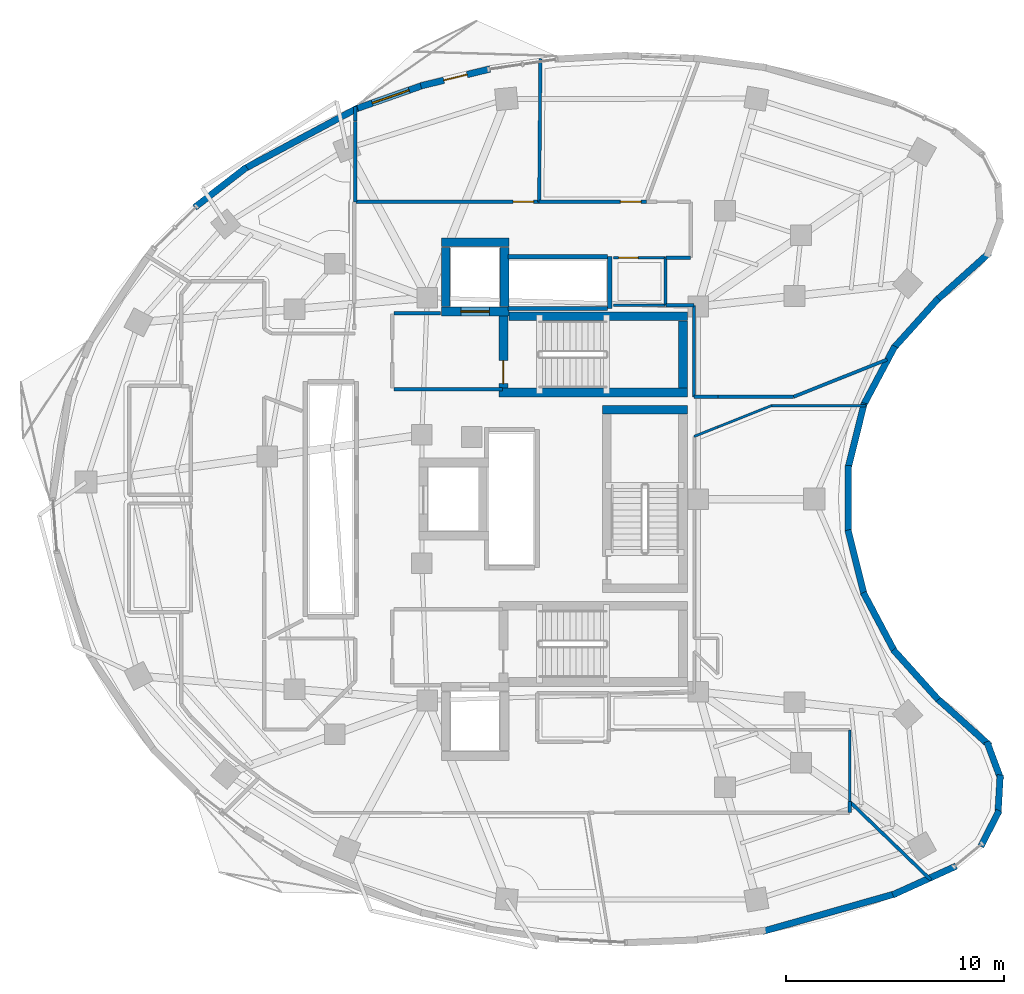
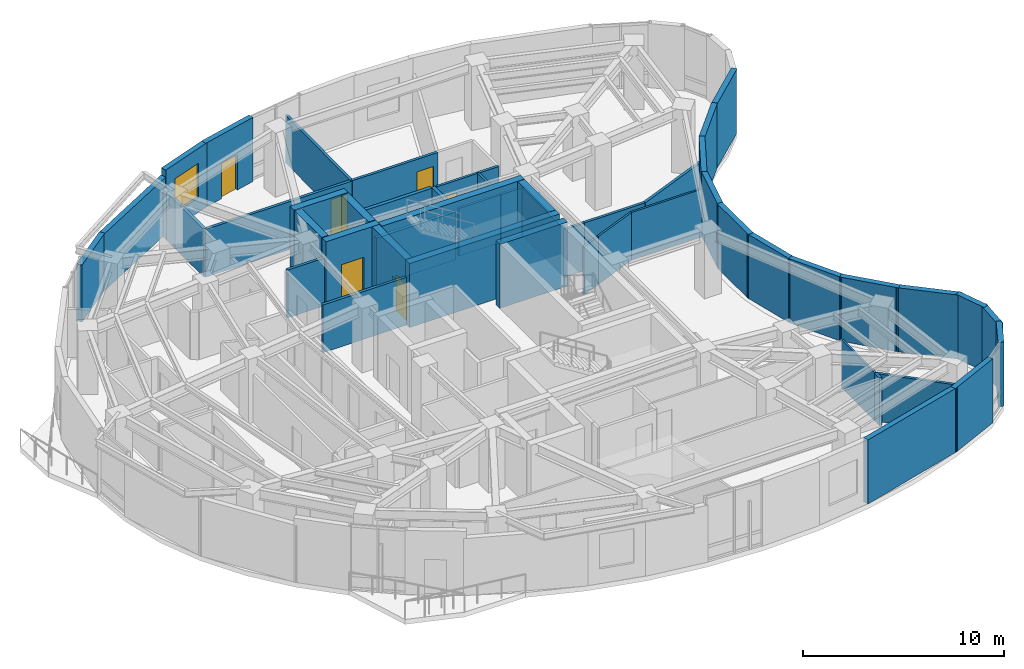
# One storey, part 9 of 13: 52 walls, 6 doors, 1 window, 7 openings.
"""IFC4 building model written with IfcOpenShell, lengths in metres."""

from ifc_helpers import new_model, si_unit, direction, frame, frame_2d, origin, place, context, subcontext, project, spatial, rectangle, extrude, material, layer, layer_set, type_object, element, fill, save


model = new_model("IFC4")

# Units and contexts
model_context = context("Model", 3, precision=1e-05, world=origin(), true_north=direction((0.0, 1.0)))
body_context = subcontext(model_context, "Body", "Model", "MODEL_VIEW")
ifc_project = project(units=[si_unit("LENGTHUNIT", "METRE"), si_unit("AREAUNIT", "SQUARE_METRE"), si_unit("VOLUMEUNIT", "CUBIC_METRE"), si_unit("PLANEANGLEUNIT", "RADIAN"), si_unit("MASSUNIT", "GRAM", prefix="KILO")], contexts=[model_context])

# Site, building, storey
site_placement = place(None, origin())
site = spatial("IfcSite", under=ifc_project, at=site_placement, CompositionType="ELEMENT")
building_placement = place(site_placement, origin())
building = spatial("IfcBuilding", under=site, at=building_placement, Name="Korentha Bioscience Tower", CompositionType="ELEMENT")
storey_placement = place(building_placement, frame((0.0, 0.0, 187.800048828125)))
storey = spatial("IfcBuildingStorey", under=building, at=storey_placement, Name="L43", CompositionType="ELEMENT", Elevation=187.800048828125)

# Wall, opening, door
ifc_material_1 = material(Name="Double-Stud Acoustic Gypsum", Category="gypsum")
ifc_layer_1 = layer(ifc_material_1, 0.14990234375, Name="Double-Stud Acoustic Gypsum")
ifc_layer_set_1 = layer_set([ifc_layer_1], Name="Double-Stud Acoustic Gypsum (IW-L150)")
wall_type_1 = type_object("IfcWallType", Name="Acoustic Laboratory Partition Wall 150", PredefinedType="PARTITIONING", material=ifc_layer_set_1)
wall_1_placement = place(storey_placement, frame((35.16552734375, 40.659912109375, 0.0), z_axis=(0.0, 0.0, 1.0), x_axis=(-1.0, 0.0, 0.0)))
wall_1 = element("IfcWall", 1, at=wall_1_placement, inside=storey, type_object=wall_type_1, Name="L43 Staff Tea and Espresso Break Lounge 07 Entrance Wall", PredefinedType="PARTITIONING", context=body_context, shape_type="SweptSolid", body=[
    extrude(rectangle(XDim=4.923828125, YDim=0.14990234375, at=frame_2d((2.4619140625, 0.0))), origin(), (0.0, 0.0, 1.0), 2.909912109375),
])
opening_1_placement = place(wall_1_placement, frame((0.239990234375, 0.0, 0.0)))
opening_1 = element("IfcOpeningElement", 2, at=opening_1_placement, cuts=wall_1, Name="Opening ID-10R", PredefinedType="OPENING", context=body_context, shape_type="SweptSolid", body=[
    extrude(rectangle(XDim=0.949951171875, YDim=2.14990234375, at=frame_2d((0.47509765625, 1.074951171875))), frame((0.0, 0.08984375, 0.0), z_axis=(0.0, -1.0, 0.0), x_axis=(1.0, 0.0, 0.0)), (0.0, 0.0, 1.0), 0.1796875),
])
ifc_material_2 = material(Name="Phenolic Laminate Timber Core", Category="wood")
door_type_1 = type_object("IfcDoorType", Name="Laboratory Single Leaf Door 950x2150 Right", OperationType="SINGLE_SWING_RIGHT", PredefinedType="DOOR", material=ifc_material_2)
door_1_placement = place(opening_1_placement, origin())
door_1 = element("IfcDoor", 3, at=door_1_placement, inside=storey, type_object=door_type_1, Name="L43 Staff Tea and Espresso Break Lounge 07 Door", OperationType="SINGLE_SWING_RIGHT", OverallHeight=2.14990234375, OverallWidth=0.949951171875, PredefinedType="DOOR", context=body_context, shape_type="SweptSolid", body=[
    extrude(rectangle(XDim=0.949951171875, YDim=2.14990234375, at=frame_2d((0.47509765625, 1.074951171875))), frame((0.0, 0.02490234375, 0.0), z_axis=(0.0, -1.0, 0.0), x_axis=(1.0, 0.0, 0.0)), (0.0, 0.0, 1.0), 0.050048828125),
])
fill(opening_1, door_1)

# Walls
wall_2_placement = place(storey_placement, frame((44.510009765625, 12.60009765625, 0.0), z_axis=(0.0, 0.0, 1.0), x_axis=(0.0, 1.0, 0.0)))
element("IfcWall", 4, at=wall_2_placement, inside=storey, type_object=wall_type_1, Name="L43 Interior Partition 047", PredefinedType="PARTITIONING", context=body_context, shape_type="SweptSolid", body=[
    extrude(rectangle(XDim=0.501220703125, YDim=0.14990234375, at=frame_2d((0.25048828125, 0.0))), origin(), (0.0, 0.0, 1.0), 2.909912109375),
])
wall_3_placement = place(storey_placement, frame((44.510009765625, 13.101318359375, 0.0), z_axis=(0.0, 0.0, 1.0), x_axis=(0.719339776069, -0.694658395591, 0.0)))
element("IfcWall", 5, at=wall_3_placement, inside=storey, type_object=wall_type_1, Name="L43 Interior Partition 048", PredefinedType="PARTITIONING", context=body_context, shape_type="SweptSolid", body=[
    extrude(rectangle(XDim=5.183349609375, YDim=0.14990234375, at=frame_2d((2.591796875, 0.0))), origin(), (0.0, 0.0, 1.0), 2.909912109375),
])
wall_4_placement = place(storey_placement, frame((46.22900390625, 33.41259765625, 0.0), z_axis=(0.0, 0.0, 1.0), x_axis=(-0.929137617747, -0.369734076448, 0.0)))
element("IfcWall", 6, at=wall_4_placement, inside=storey, type_object=wall_type_1, Name="L43 Interior Partition 059", PredefinedType="PARTITIONING", context=body_context, shape_type="SweptSolid", body=[
    extrude(rectangle(XDim=4.626220703125, YDim=0.14990234375, at=frame_2d((2.31298828125, 0.0))), origin(), (0.0, 0.0, 1.0), 2.909912109375),
])
wall_5_placement = place(storey_placement, frame((41.930419921875, 31.701904296875, 0.0), z_axis=(0.0, 0.0, 1.0), x_axis=(-1.0, 0.0, 0.0)))
element("IfcWall", 7, at=wall_5_placement, inside=storey, type_object=wall_type_1, Name="L43 Interior Partition 060", PredefinedType="PARTITIONING", context=body_context, shape_type="SweptSolid", body=[
    extrude(rectangle(XDim=3.478271484375, YDim=0.14990234375, at=frame_2d((1.7392578125, 0.0))), origin(), (0.0, 0.0, 1.0), 2.909912109375),
])
wall_6_placement = place(storey_placement, frame((38.44775390625, 31.701904296875, 0.0), z_axis=(0.0, 0.0, 1.0), x_axis=(-1.0, 0.0, 0.0)))
element("IfcWall", 8, at=wall_6_placement, inside=storey, type_object=wall_type_1, Name="L43 Interior Partition 061", PredefinedType="PARTITIONING", context=body_context, shape_type="SweptSolid", body=[
    extrude(rectangle(XDim=1.087646484375, YDim=0.14990234375, at=frame_2d((0.5439453125, 0.0))), origin(), (0.0, 0.0, 1.0), 2.909912109375),
])
wall_7_placement = place(storey_placement, frame((37.360107421875, 31.701904296875, 0.0), z_axis=(0.0, 0.0, 1.0), x_axis=(0.0, 1.0, 0.0)))
element("IfcWall", 9, at=wall_7_placement, inside=storey, type_object=wall_type_1, Name="L43 Interior Partition 062", PredefinedType="PARTITIONING", context=body_context, shape_type="SweptSolid", body=[
    extrude(rectangle(XDim=4.197998046875, YDim=0.14990234375, at=frame_2d((2.09912109375, 0.0))), origin(), (0.0, 0.0, 1.0), 2.909912109375),
])
wall_8_placement = place(storey_placement, frame((37.35009765625, 35.909912109375, 0.0), z_axis=(0.0, 0.0, 1.0), x_axis=(-1.0, 0.0, 0.0)))
element("IfcWall", 10, at=wall_8_placement, inside=storey, type_object=wall_type_1, Name="L43 Interior Partition 063", PredefinedType="PARTITIONING", context=body_context, shape_type="SweptSolid", body=[
    extrude(rectangle(XDim=1.2900390625, YDim=0.14990234375, at=frame_2d((0.64501953125, 0.0))), origin(), (0.0, 0.0, 1.0), 2.909912109375),
])
wall_9_placement = place(storey_placement, frame((36.06005859375, 38.090087890625, 0.0), z_axis=(0.0, 0.0, 1.0), x_axis=(1.0, 0.0, 0.0)))
element("IfcWall", 11, at=wall_9_placement, inside=storey, type_object=wall_type_1, Name="L43 Interior Partition 064", PredefinedType="PARTITIONING", context=body_context, shape_type="SweptSolid", body=[
    extrude(rectangle(XDim=1.139892578125, YDim=0.14990234375, at=frame_2d((0.56982421875, 0.0))), origin(), (0.0, 0.0, 1.0), 2.909912109375),
])
wall_10_placement = place(storey_placement, frame((30.24169921875, 40.659912109375, 0.0), z_axis=(0.0, 0.0, 1.0), x_axis=(0.008728912263, 0.99996190232, 0.0)))
element("IfcWall", 12, at=wall_10_placement, inside=storey, type_object=wall_type_1, Name="L43 Interior Partition 067", PredefinedType="PARTITIONING", context=body_context, shape_type="SweptSolid", body=[
    extrude(rectangle(XDim=6.57275390625, YDim=0.14990234375, at=frame_2d((3.286376953125, 0.0))), origin(), (0.0, 0.0, 1.0), 2.909912109375),
])
ifc_material_3 = material(Name="Fire-Rated Framed Glass", Category="glass")
ifc_layer_2 = layer(ifc_material_3, 0.110107421875, Name="Fire-Rated Framed Glass")
ifc_layer_set_2 = layer_set([ifc_layer_2], Name="Fire-Rated Framed Glass (IW-G110)")
wall_type_2 = type_object("IfcWallType", Name="Demountable Glazed Office Partition 110", PredefinedType="MOVABLE", material=ifc_layer_set_2)
wall_11_placement = place(storey_placement, frame((37.360107421875, 29.87890625, 0.0), z_axis=(0.0, 0.0, 1.0), x_axis=(0.929122527509, 0.369771995797, 0.0)))
element("IfcWall", 13, at=wall_11_placement, inside=storey, type_object=wall_type_2, Name="L43 Interior Partition 052", PredefinedType="MOVABLE", context=body_context, shape_type="SweptSolid", body=[
    extrude(rectangle(XDim=1.170654296875, YDim=0.110107421875, at=frame_2d((0.58544921875, 0.0))), origin(), (0.0, 0.0, 1.0), 2.909912109375),
])
wall_12_placement = place(storey_placement, frame((38.4521484375, 30.3134765625, 0.0), z_axis=(0.0, 0.0, 1.0), x_axis=(0.929145500672, 0.369714266131, 0.0)))
element("IfcWall", 14, at=wall_12_placement, inside=storey, type_object=wall_type_2, Name="L43 Interior Partition 053", PredefinedType="MOVABLE", context=body_context, shape_type="SweptSolid", body=[
    extrude(rectangle(XDim=2.66259765625, YDim=0.110107421875, at=frame_2d((1.331298828125, 0.0))), origin(), (0.0, 0.0, 1.0), 2.909912109375),
])
wall_13_placement = place(storey_placement, frame((40.926513671875, 31.298095703125, 0.0), z_axis=(0.0, 0.0, 1.0), x_axis=(1.0, 0.0, 0.0)))
element("IfcWall", 15, at=wall_13_placement, inside=storey, type_object=wall_type_2, Name="L43 Interior Partition 054", PredefinedType="MOVABLE", context=body_context, shape_type="SweptSolid", body=[
    extrude(rectangle(XDim=4.334228515625, YDim=0.110107421875, at=frame_2d((2.1669921875, 0.0))), origin(), (0.0, 0.0, 1.0), 2.909912109375),
])
wall_14_placement = place(storey_placement, frame((44.510009765625, 13.111328125, 0.0), z_axis=(0.0, 0.0, 1.0), x_axis=(0.0, 1.0, 0.0)))
element("IfcWall", 16, at=wall_14_placement, inside=storey, type_object=wall_type_2, Name="L43 Interior Partition 055", PredefinedType="MOVABLE", context=body_context, shape_type="SweptSolid", body=[
    extrude(rectangle(XDim=3.28857421875, YDim=0.110107421875, at=frame_2d((1.644287109375, 0.0))), origin(), (0.0, 0.0, 1.0), 2.909912109375),
])
ifc_material_4 = material(Name="Gypsum-Clad Steel Stud", Category="steel")
ifc_layer_3 = layer(ifc_material_4, 0.159912109375, Name="Gypsum-Clad Steel Stud")
ifc_layer_set_3 = layer_set([ifc_layer_3], Name="Gypsum-Clad Steel Stud (IW-C160)")
wall_type_3 = type_object("IfcWallType", Name="Fire-Rated Corridor Partition Wall 160", PredefinedType="PARTITIONING", material=ifc_layer_set_3)
wall_15_placement = place(storey_placement, frame((23.580078125, 32.050048828125, 0.0), z_axis=(0.0, 0.0, 1.0), x_axis=(1.0, 0.0, 0.0)))
element("IfcWall", 17, at=wall_15_placement, inside=storey, type_object=wall_type_3, Name="L43 Firefighting Lobby Return Wall FFLN-S", PredefinedType="PARTITIONING", context=body_context, shape_type="SweptSolid", body=[
    extrude(rectangle(XDim=4.969970703125, YDim=0.159912109375, at=frame_2d((2.48486328125, 0.0))), origin(), (0.0, 0.0, 1.0), 2.909912109375),
])
wall_16_placement = place(storey_placement, frame((23.580078125, 35.550048828125, 0.0), z_axis=(0.0, 0.0, 1.0), x_axis=(1.0, 0.0, 0.0)))
element("IfcWall", 18, at=wall_16_placement, inside=storey, type_object=wall_type_3, Name="L43 Firefighting Lobby Return Wall FFLN-N", PredefinedType="PARTITIONING", context=body_context, shape_type="SweptSolid", body=[
    extrude(rectangle(XDim=2.119873046875, YDim=0.159912109375, at=frame_2d((1.06005859375, 0.0))), origin(), (0.0, 0.0, 1.0), 2.909912109375),
])

# Wall, opening, door
wall_17_placement = place(storey_placement, frame((30.231689453125, 40.659912109375, 0.0), z_axis=(0.0, 0.0, 1.0), x_axis=(-1.0, 0.0, 0.0)))
wall_17 = element("IfcWall", 19, at=wall_17_placement, inside=storey, type_object=wall_type_3, Name="L43 Consumables Archive Room 08 Entrance Wall", PredefinedType="PARTITIONING", context=body_context, shape_type="SweptSolid", body=[
    extrude(rectangle(XDim=8.4296875, YDim=0.159912109375, at=frame_2d((4.21484375, 0.0))), origin(), (0.0, 0.0, 1.0), 2.909912109375),
])
opening_2_placement = place(wall_17_placement, frame((0.239990234375, 0.0, 0.0)))
opening_2 = element("IfcOpeningElement", 20, at=opening_2_placement, cuts=wall_17, Name="Opening ID-10L", PredefinedType="OPENING", context=body_context, shape_type="SweptSolid", body=[
    extrude(rectangle(XDim=0.949951171875, YDim=2.14990234375, at=frame_2d((0.47509765625, 1.074951171875))), frame((0.0, 0.0947265625, 0.0), z_axis=(0.0, -1.0, 0.0), x_axis=(1.0, 0.0, 0.0)), (0.0, 0.0, 1.0), 0.189697265625),
])
door_type_2 = type_object("IfcDoorType", Name="Laboratory Single Leaf Door 950x2150 Left", OperationType="SINGLE_SWING_LEFT", PredefinedType="DOOR", material=ifc_material_2)
door_2_placement = place(opening_2_placement, origin())
door_2 = element("IfcDoor", 21, at=door_2_placement, inside=storey, type_object=door_type_2, Name="L43 Consumables Archive Room 08 Door", OperationType="SINGLE_SWING_LEFT", OverallHeight=2.14990234375, OverallWidth=0.949951171875, PredefinedType="DOOR", context=body_context, shape_type="SweptSolid", body=[
    extrude(rectangle(XDim=0.949951171875, YDim=2.14990234375, at=frame_2d((0.47509765625, 1.074951171875))), frame((0.0, 0.02490234375, 0.0), z_axis=(0.0, -1.0, 0.0), x_axis=(1.0, 0.0, 0.0)), (0.0, 0.0, 1.0), 0.050048828125),
])
fill(opening_2, door_2)

# Walls
wall_18_placement = place(storey_placement, frame((21.802001953125, 44.36669921875, 0.0), z_axis=(0.0, 0.0, 1.0), x_axis=(0.0, 1.0, 0.0)))
element("IfcWall", 22, at=wall_18_placement, inside=storey, type_object=wall_type_3, Name="L43 Interior Partition 068", PredefinedType="PARTITIONING", context=body_context, shape_type="SweptSolid", body=[
    extrude(rectangle(XDim=0.662109375, YDim=0.159912109375, at=frame_2d((0.3310546875, 0.0))), origin(), (0.0, 0.0, 1.0), 2.909912109375),
])
wall_19_placement = place(storey_placement, frame((21.802001953125, 40.659912109375, 0.0), z_axis=(0.0, 0.0, 1.0), x_axis=(0.0, 1.0, 0.0)))
element("IfcWall", 23, at=wall_19_placement, inside=storey, type_object=wall_type_3, Name="L43 Interior Partition 069", PredefinedType="PARTITIONING", context=body_context, shape_type="SweptSolid", body=[
    extrude(rectangle(XDim=3.697265625, YDim=0.159912109375, at=frame_2d((1.8486328125, 0.0))), origin(), (0.0, 0.0, 1.0), 2.909912109375),
])

# Wall, opening, door
ifc_material_5 = material(Name="Honed Limestone Precast Concrete C40", Category="masonry")
ifc_layer_4 = layer(ifc_material_5, 0.300048828125, Name="Honed Limestone Precast Concrete C40")
ifc_layer_set_4 = layer_set([ifc_layer_4], Name="Honed Limestone Precast Concrete C40 (EW-ST300)")
wall_type_4 = type_object("IfcWallType", Name="Honed Limestone Cavity Spandrel Wall 300", PredefinedType="STANDARD", material=ifc_layer_set_4)
wall_20_placement = place(storey_placement, frame((27.981689453125, 46.76171875, 0.0), z_axis=(0.0, 0.0, 1.0), x_axis=(-0.971312804689, -0.237805457142, 0.0)))
wall_20 = element("IfcWall", 24, at=wall_20_placement, inside=storey, type_object=wall_type_4, Name="L43 Balcony Threshold Wall 01", PredefinedType="STANDARD", context=body_context, shape_type="SweptSolid", body=[
    extrude(rectangle(XDim=3.268798828125, YDim=0.300048828125, at=frame_2d((1.63427734375, 0.0))), origin(), (0.0, 0.0, 1.0), 3.89990234375),
])
opening_3_placement = place(wall_20_placement, frame((1.08447265625, 0.0, 0.0)))
opening_3 = element("IfcOpeningElement", 25, at=opening_3_placement, cuts=wall_20, Name="Opening BD-11L", PredefinedType="OPENING", context=body_context, shape_type="SweptSolid", body=[
    extrude(rectangle(XDim=1.10009765625, YDim=2.14990234375, at=frame_2d((0.550048828125, 1.074951171875))), frame((0.0, 0.1650390625, 0.0), z_axis=(0.0, -1.0, 0.0), x_axis=(1.0, 0.0, 0.0)), (0.0, 0.0, 1.0), 0.329833984375),
])
ifc_material_6 = material(Name="Thermally Broken Glazed Aluminium", Category="aluminium")
door_type_3 = type_object("IfcDoorType", Name="Balcony Terrace Glazed Door 1100x2150 Left", OperationType="SINGLE_SWING_LEFT", PredefinedType="DOOR", material=ifc_material_6)
door_3_placement = place(opening_3_placement, origin())
door_3 = element("IfcDoor", 26, at=door_3_placement, inside=storey, type_object=door_type_3, Name="L43 Balcony Access Door 01", OperationType="SINGLE_SWING_LEFT", OverallHeight=2.14990234375, OverallWidth=1.10009765625, PredefinedType="DOOR", context=body_context, shape_type="SweptSolid", body=[
    extrude(rectangle(XDim=1.10009765625, YDim=2.14990234375, at=frame_2d((0.550048828125, 1.074951171875))), frame((0.0, 0.02490234375, 0.0), z_axis=(0.0, -1.0, 0.0), x_axis=(1.0, 0.0, 0.0)), (0.0, 0.0, 1.0), 0.050048828125),
])
fill(opening_3, door_3)

# Wall, opening, window
wall_21_placement = place(storey_placement, frame((24.9365234375, 46.02294921875, 0.0), z_axis=(0.0, 0.0, 1.0), x_axis=(-0.943495444321, -0.331385495377, 0.0)))
wall_21 = element("IfcWall", 27, at=wall_21_placement, inside=storey, type_object=wall_type_4, Name="L43 Honed Limestone Spandrel Wall 09", PredefinedType="STANDARD", context=body_context, shape_type="SweptSolid", body=[
    extrude(rectangle(XDim=3.21435546875, YDim=0.300048828125, at=frame_2d((1.607177734375, 0.0))), origin(), (0.0, 0.0, 1.0), 3.89990234375),
])
opening_4_placement = place(wall_21_placement, frame((0.70703125, 0.0, 0.89990234375)))
opening_4 = element("IfcOpeningElement", 28, at=opening_4_placement, cuts=wall_21, Name="Opening WN-01", PredefinedType="OPENING", context=body_context, shape_type="SweptSolid", body=[
    extrude(rectangle(XDim=1.800048828125, YDim=2.10009765625, at=frame_2d((0.89990234375, 1.050048828125))), frame((0.0, 0.1650390625, 0.0), z_axis=(0.0, -1.0, 0.0), x_axis=(1.0, 0.0, 0.0)), (0.0, 0.0, 1.0), 0.329833984375),
])
ifc_material_7 = material(Name="Thermally Broken Aluminium Triple Glazing", Category="aluminium")
window_type = type_object("IfcWindowType", Name="Triple-Glazed Fixed Bioscience Window 1800x2100", PartitioningType="SINGLE_PANEL", PredefinedType="WINDOW", material=ifc_material_7)
window_placement = place(opening_4_placement, origin())
window = element("IfcWindow", 29, at=window_placement, inside=storey, type_object=window_type, Name="L43 Facade Window 09", OverallHeight=2.10009765625, OverallWidth=1.800048828125, PartitioningType="SINGLE_PANEL", PredefinedType="WINDOW", context=body_context, shape_type="SweptSolid", body=[
    extrude(rectangle(XDim=1.800048828125, YDim=2.10009765625, at=frame_2d((0.89990234375, 1.050048828125))), frame((0.0, 0.030029296875, 0.0), z_axis=(0.0, -1.0, 0.0), x_axis=(1.0, 0.0, 0.0)), (0.0, 0.0, 1.0), 0.06005859375),
])
fill(opening_4, window)

# Walls
wall_22_placement = place(storey_placement, frame((22.044189453125, 45.043212890625, 0.0), z_axis=(0.0, 0.0, 1.0), x_axis=(-0.881364369565, -0.472437136624, 0.0)))
element("IfcWall", 30, at=wall_22_placement, inside=storey, type_object=wall_type_4, Name="L43 Limestone Perimeter Closure Wall 10", PredefinedType="STANDARD", context=body_context, shape_type="SweptSolid", body=[
    extrude(rectangle(XDim=6.123779296875, YDim=0.300048828125, at=frame_2d((3.06201171875, 0.0))), origin(), (0.0, 0.0, 1.0), 3.469970703125),
])
wall_23_placement = place(storey_placement, frame((16.80029296875, 42.249755859375, 0.0), z_axis=(0.0, 0.0, 1.0), x_axis=(-0.790530517055, -0.612422649488, 0.0)))
element("IfcWall", 31, at=wall_23_placement, inside=storey, type_object=wall_type_4, Name="L43 Limestone Perimeter Closure Wall 12", PredefinedType="STANDARD", context=body_context, shape_type="SweptSolid", body=[
    extrude(rectangle(XDim=3.019775390625, YDim=0.300048828125, at=frame_2d((1.509765625, 0.0))), origin(), (0.0, 0.0, 1.0), 3.469970703125),
])
wall_24_placement = place(storey_placement, frame((40.4931640625, 7.13427734375, 0.0), z_axis=(0.0, 0.0, 1.0), x_axis=(0.962163849422, 0.272471515694, 0.0)))
element("IfcWall", 32, at=wall_24_placement, inside=storey, type_object=wall_type_4, Name="L43 Limestone Perimeter Closure Wall 34", PredefinedType="STANDARD", context=body_context, shape_type="SweptSolid", body=[
    extrude(rectangle(XDim=6.4091796875, YDim=0.300048828125, at=frame_2d((3.20458984375, 0.0))), origin(), (0.0, 0.0, 1.0), 3.89990234375),
])
wall_25_placement = place(storey_placement, frame((46.490478515625, 8.818359375, 0.0), z_axis=(0.0, 0.0, 1.0), x_axis=(0.910633193525, 0.413215666268, 0.0)))
element("IfcWall", 33, at=wall_25_placement, inside=storey, type_object=wall_type_4, Name="L43 Limestone Perimeter Closure Wall 36", PredefinedType="STANDARD", context=body_context, shape_type="SweptSolid", body=[
    extrude(rectangle(XDim=3.1953125, YDim=0.300048828125, at=frame_2d((1.59765625, 0.0))), origin(), (0.0, 0.0, 1.0), 3.89990234375),
])
for number, where, z_axis, x_axis, name in (
    (34, (50.533935546875, 11.041259765625, 0.0), (0.0, 0.0, 1.0), (0.454214122486, 0.890892547356, 0.0), "L43 Limestone Perimeter Closure Wall 38"),
    (35, (51.319091796875, 12.484375, 0.0), (0.0, 0.0, 1.0), (0.057485341891, 0.998346350455, 0.0), "L43 Limestone Perimeter Closure Wall 39"),
    (36, (51.45751953125, 14.121337890625, 0.0), (0.0, 0.0, 1.0), (-0.348984166898, 0.937128620443, 0.0), "L43 Limestone Perimeter Closure Wall 40"),
):
    element("IfcWall", number, at=place(storey_placement, frame(where, z_axis=z_axis, x_axis=x_axis)), inside=storey, type_object=wall_type_4, Name=name, PredefinedType="STANDARD", context=body_context, shape_type="SweptSolid", body=[
        extrude(rectangle(XDim=1.851806640625, YDim=0.300048828125, at=frame_2d((0.92578125, 0.0))), origin(), (0.0, 0.0, 1.0), 3.89990234375),
    ])
wall_26_placement = place(storey_placement, frame((50.936279296875, 15.6728515625, 0.0), z_axis=(0.0, 0.0, 1.0), x_axis=(-0.743341827472, 0.668911748687, 0.0)))
element("IfcWall", 37, at=wall_26_placement, inside=storey, type_object=wall_type_4, Name="L43 Limestone Perimeter Closure Wall 41", PredefinedType="STANDARD", context=body_context, shape_type="SweptSolid", body=[
    extrude(rectangle(XDim=3.3095703125, YDim=0.300048828125, at=frame_2d((1.65478515625, 0.0))), origin(), (0.0, 0.0, 1.0), 3.89990234375),
])
for number, where, z_axis, x_axis, name in (
    (38, (48.57861328125, 17.7841796875, 0.0), (0.0, 0.0, 1.0), (-0.669165704933, 0.743113221079, 0.0), "L43 Limestone Perimeter Closure Wall 43"),
    (39, (46.58447265625, 19.975830078125, 0.0), (0.0, 0.0, 1.0), (-0.469471310295, 0.882947727111, 0.0), "L43 Limestone Perimeter Closure Wall 45"),
    (40, (45.179931640625, 22.585205078125, 0.0), (0.0, 0.0, 1.0), (-0.241940068914, 0.970291194979, 0.0), "L43 Limestone Perimeter Closure Wall 47"),
    (41, (44.448486328125, 25.45654296875, 0.0), (0.0, 0.0, 1.0), (0.0, 1.0, 0.0), "L43 Limestone Perimeter Closure Wall 49"),
    (42, (44.43310546875, 28.419677734375, 0.0), (0.0, 0.0, 1.0), (0.241940068914, 0.970291194979, 0.0), "L43 Limestone Perimeter Closure Wall 51"),
    (43, (45.13525390625, 31.298583984375, 0.0), (0.0, 0.0, 1.0), (0.469471310295, 0.882947727111, 0.0), "L43 Limestone Perimeter Closure Wall 53"),
    (44, (46.512939453125, 33.921875, 0.0), (0.0, 0.0, 1.0), (0.669165704933, 0.743113221079, 0.0), "L43 Limestone Perimeter Closure Wall 55"),
):
    element("IfcWall", number, at=place(storey_placement, frame(where, z_axis=z_axis, x_axis=x_axis)), inside=storey, type_object=wall_type_4, Name=name, PredefinedType="STANDARD", context=body_context, shape_type="SweptSolid", body=[
        extrude(rectangle(XDim=3.0869140625, YDim=0.300048828125, at=frame_2d((1.54345703125, 0.0))), origin(), (0.0, 0.0, 1.0), 3.89990234375),
    ])
wall_27_placement = place(storey_placement, frame((48.47607421875, 36.11328125, 0.0), z_axis=(0.0, 0.0, 1.0), x_axis=(0.743341827472, 0.668911748687, 0.0)))
element("IfcWall", 45, at=wall_27_placement, inside=storey, type_object=wall_type_4, Name="L43 Limestone Perimeter Closure Wall 57", PredefinedType="STANDARD", context=body_context, shape_type="SweptSolid", body=[
    extrude(rectangle(XDim=3.3095703125, YDim=0.300048828125, at=frame_2d((1.65478515625, 0.0))), origin(), (0.0, 0.0, 1.0), 3.89990234375),
])
ifc_material_8 = material(Name="Autoclaved Aerated Concrete Block C25", Category="concrete")
ifc_layer_5 = layer(ifc_material_8, 0.199951171875, Name="Autoclaved Aerated Concrete Block C25")
ifc_layer_set_5 = layer_set([ifc_layer_5], Name="Autoclaved Aerated Concrete Block C25 (IW-S200)")
wall_type_5 = type_object("IfcWallType", Name="Lift and Riser Shaft Enclosure Wall 200", PredefinedType="PARTITIONING", material=ifc_layer_set_5)
wall_28_placement = place(storey_placement, frame((33.489990234375, 35.760009765625, 0.0), z_axis=(0.0, 0.0, 1.0), x_axis=(0.0, 1.0, 0.0)))
element("IfcWall", 46, at=wall_28_placement, inside=storey, type_object=wall_type_5, Name="L43 Lift Bank OBS Shaft Wall +X", PredefinedType="PARTITIONING", context=body_context, shape_type="SweptSolid", body=[
    extrude(rectangle(XDim=2.3798828125, YDim=0.199951171875, at=frame_2d((1.18994140625, 0.0))), origin(), (0.0, 0.0, 1.0), 2.909912109375),
])
for number, where, z_axis, x_axis, name in (
    (47, (28.800048828125, 35.760009765625, 0.0), (0.0, 0.0, 1.0), (1.0, 0.0, 0.0), "L43 Lift Bank OBS Shaft Wall -Y"),
    (48, (28.800048828125, 38.139892578125, 0.0), (0.0, 0.0, 1.0), (1.0, 0.0, 0.0), "L43 Lift Bank OBS Shaft Wall +Y"),
):
    element("IfcWall", number, at=place(storey_placement, frame(where, z_axis=z_axis, x_axis=x_axis)), inside=storey, type_object=wall_type_5, Name=name, PredefinedType="PARTITIONING", context=body_context, shape_type="SweptSolid", body=[
        extrude(rectangle(XDim=4.570068359375, YDim=0.199951171875, at=frame_2d((2.28515625, 0.0))), origin(), (0.0, 0.0, 1.0), 2.909912109375),
    ])
ifc_material_9 = material(Name="Concrete C65", Category="concrete")
ifc_layer_6 = layer(ifc_material_9, 0.39990234375, Name="Concrete C65")
ifc_layer_set_6 = layer_set([ifc_layer_6], Name="Concrete C65 (CW-C65)")
wall_type_6 = type_object("IfcWallType", Name="Mid-Rise Core Shear Wall 400", PredefinedType="SHEAR", material=ifc_layer_set_6)
wall_29_placement = place(storey_placement, frame((28.85205078125, 35.39990234375, 0.0), z_axis=(0.0, 0.0, 1.0), x_axis=(1.0, 0.0, 0.0)))
element("IfcWall", 49, at=wall_29_placement, inside=storey, type_object=wall_type_6, Name="L43 Core Shear Wall ST1-N", PredefinedType="SHEAR", context=body_context, shape_type="SweptSolid", body=[
    extrude(rectangle(XDim=8.197998046875, YDim=0.39990234375, at=frame_2d((4.09912109375, 0.0))), origin(), (0.0, 0.0, 1.0), 3.89990234375),
])
wall_30_placement = place(storey_placement, frame((28.39990234375, 31.89990234375, 0.0), z_axis=(0.0, 0.0, 1.0), x_axis=(1.0, 0.0, 0.0)))
element("IfcWall", 50, at=wall_30_placement, inside=storey, type_object=wall_type_6, Name="L43 Core Shear Wall ST1-S", PredefinedType="SHEAR", context=body_context, shape_type="SweptSolid", body=[
    extrude(rectangle(XDim=8.650146484375, YDim=0.39990234375, at=frame_2d((4.3251953125, 0.0))), origin(), (0.0, 0.0, 1.0), 3.89990234375),
])
wall_31_placement = place(storey_placement, frame((36.85009765625, 32.110107421875, 0.0), z_axis=(0.0, 0.0, 1.0), x_axis=(0.0, 1.0, 0.0)))
element("IfcWall", 51, at=wall_31_placement, inside=storey, type_object=wall_type_6, Name="L43 Core Shear Wall ST1-E", PredefinedType="SHEAR", context=body_context, shape_type="SweptSolid", body=[
    extrude(rectangle(XDim=3.079833984375, YDim=0.39990234375, at=frame_2d((1.5400390625, 0.0))), origin(), (0.0, 0.0, 1.0), 3.89990234375),
])

# Wall, opening, door
wall_32_placement = place(storey_placement, frame((28.60009765625, 32.110107421875, 0.0), z_axis=(0.0, 0.0, 1.0), x_axis=(0.0, 1.0, 0.0)))
wall_32 = element("IfcWall", 52, at=wall_32_placement, inside=storey, type_object=wall_type_6, Name="L43 Core Shear Wall ST1-W", PredefinedType="SHEAR", context=body_context, shape_type="SweptSolid", body=[
    extrude(rectangle(XDim=3.307861328125, YDim=0.39990234375, at=frame_2d((1.65380859375, 0.0))), origin(), (0.0, 0.0, 1.0), 3.89990234375),
])
opening_5_placement = place(wall_32_placement, frame((0.199951171875, 0.0, 0.0)))
opening_5 = element("IfcOpeningElement", 53, at=opening_5_placement, cuts=wall_32, Name="Opening FD-90R", PredefinedType="OPENING", context=body_context, shape_type="SweptSolid", body=[
    extrude(rectangle(XDim=1.050048828125, YDim=2.14990234375, at=frame_2d((0.52490234375, 1.074951171875))), frame((0.0, 0.21484375, 0.0), z_axis=(0.0, -1.0, 0.0), x_axis=(1.0, 0.0, 0.0)), (0.0, 0.0, 1.0), 0.4296875),
])
ifc_material_10 = material(Name="Powder-Coated Fire-Rated Steel", Category="steel")
door_type_4 = type_object("IfcDoorType", Name="Stairwell Fire Exit Door 1050x2150 Right", OperationType="SINGLE_SWING_RIGHT", PredefinedType="DOOR", material=ifc_material_10)
door_4_placement = place(opening_5_placement, origin())
door_4 = element("IfcDoor", 54, at=door_4_placement, inside=storey, type_object=door_type_4, Name="L43 ST-1 Fire Exit Stair Door", OperationType="SINGLE_SWING_RIGHT", OverallHeight=2.14990234375, OverallWidth=1.050048828125, PredefinedType="DOOR", context=body_context, shape_type="SweptSolid", body=[
    extrude(rectangle(XDim=1.050048828125, YDim=2.14990234375, at=frame_2d((0.52490234375, 1.074951171875))), frame((0.0, 0.02490234375, 0.0), z_axis=(0.0, -1.0, 0.0), x_axis=(1.0, 0.0, 0.0)), (0.0, 0.0, 1.0), 0.050048828125),
])
fill(opening_5, door_4)

# Walls
wall_33_placement = place(storey_placement, frame((33.14990234375, 31.10009765625, 0.0), z_axis=(0.0, 0.0, 1.0), x_axis=(1.0, 0.0, 0.0)))
element("IfcWall", 55, at=wall_33_placement, inside=storey, type_object=wall_type_6, Name="L43 Core Shear Wall ST3-N", PredefinedType="SHEAR", context=body_context, shape_type="SweptSolid", body=[
    extrude(rectangle(XDim=3.900146484375, YDim=0.39990234375, at=frame_2d((1.9501953125, 0.0))), origin(), (0.0, 0.0, 1.0), 3.89990234375),
])
wall_34_placement = place(storey_placement, frame((25.75, 38.800048828125, 0.0), z_axis=(0.0, 0.0, 1.0), x_axis=(1.0, 0.0, 0.0)))
element("IfcWall", 56, at=wall_34_placement, inside=storey, type_object=wall_type_6, Name="L43 Core Shear Wall FFL2-N", PredefinedType="SHEAR", context=body_context, shape_type="SweptSolid", body=[
    extrude(rectangle(XDim=3.10009765625, YDim=0.39990234375, at=frame_2d((1.550048828125, 0.0))), origin(), (0.0, 0.0, 1.0), 3.89990234375),
])

# Wall, opening, door
wall_35_placement = place(storey_placement, frame((25.75, 35.6201171875, 0.0), z_axis=(0.0, 0.0, 1.0), x_axis=(1.0, 0.0, 0.0)))
wall_35 = element("IfcWall", 57, at=wall_35_placement, inside=storey, type_object=wall_type_6, Name="L43 Core Shear Wall FFL2-S", PredefinedType="SHEAR", context=body_context, shape_type="SweptSolid", body=[
    extrude(rectangle(XDim=3.10009765625, YDim=0.39990234375, at=frame_2d((1.550048828125, 0.0))), origin(), (0.0, 0.0, 1.0), 3.89990234375),
])
opening_6_placement = place(wall_35_placement, frame((0.89990234375, 0.0, 0.0)))
opening_6 = element("IfcOpeningElement", 58, at=opening_6_placement, cuts=wall_35, Name="Opening LD-13", PredefinedType="OPENING", context=body_context, shape_type="SweptSolid", body=[
    extrude(rectangle(XDim=1.300048828125, YDim=2.199951171875, at=frame_2d((0.64990234375, 1.10009765625))), frame((0.0, 0.21484375, 0.0), z_axis=(0.0, -1.0, 0.0), x_axis=(1.0, 0.0, 0.0)), (0.0, 0.0, 1.0), 0.4296875),
])
ifc_material_11 = material(Name="Brushed Stainless Steel 316", Category="steel")
door_type_5 = type_object("IfcDoorType", Name="Service & Firefighting Lift Landing Door 1300x2300", OperationType="DOUBLE_DOOR_SLIDING", PredefinedType="DOOR", material=ifc_material_11)
door_5_placement = place(opening_6_placement, origin())
door_5 = element("IfcDoor", 59, at=door_5_placement, inside=storey, type_object=door_type_5, Name="L43 FFL-2 Sliding Lift Landing Door", OperationType="DOUBLE_DOOR_SLIDING", OverallHeight=2.199951171875, OverallWidth=1.300048828125, PredefinedType="DOOR", context=body_context, shape_type="SweptSolid", body=[
    extrude(rectangle(XDim=1.300048828125, YDim=2.199951171875, at=frame_2d((0.64990234375, 1.10009765625))), frame((0.0, 0.02490234375, 0.0), z_axis=(0.0, -1.0, 0.0), x_axis=(1.0, 0.0, 0.0)), (0.0, 0.0, 1.0), 0.050048828125),
])
fill(opening_6, door_5)

# Walls
for number, where, z_axis, x_axis, name in (
    (60, (25.949951171875, 35.860107421875, 0.0), (0.0, 0.0, 1.0), (0.0, 1.0, 0.0), "L43 Core Shear Wall FFL2-W"),
    (61, (28.64990234375, 35.860107421875, 0.0), (0.0, 0.0, 1.0), (0.0, 1.0, 0.0), "L43 Core Shear Wall FFL2-E"),
):
    element("IfcWall", number, at=place(storey_placement, frame(where, z_axis=z_axis, x_axis=x_axis)), inside=storey, type_object=wall_type_6, Name=name, PredefinedType="SHEAR", context=body_context, shape_type="SweptSolid", body=[
        extrude(rectangle(XDim=2.699951171875, YDim=0.39990234375, at=frame_2d((1.35009765625, 0.0))), origin(), (0.0, 0.0, 1.0), 3.89990234375),
    ])

# Wall, opening, door
ifc_material_12 = material(Name="Cement-Board Steel Stud", Category="steel")
ifc_layer_7 = layer(ifc_material_12, 0.1298828125, Name="Cement-Board Steel Stud")
ifc_layer_set_7 = layer_set([ifc_layer_7], Name="Cement-Board Steel Stud (IW-W130)")
wall_type_7 = type_object("IfcWallType", Name="Wet-Area Moisture-Resistant Partition 130", PredefinedType="PARTITIONING", material=ifc_layer_set_7)
wall_36_placement = place(storey_placement, frame((33.64990234375, 38.090087890625, 0.0), z_axis=(0.0, 0.0, 1.0), x_axis=(1.0, 0.0, 0.0)))
wall_36 = element("IfcWall", 62, at=wall_36_placement, inside=storey, type_object=wall_type_7, Name="L43 Accessible Staff WC Entrance Wall", PredefinedType="PARTITIONING", context=body_context, shape_type="SweptSolid", body=[
    extrude(rectangle(XDim=2.400146484375, YDim=0.1298828125, at=frame_2d((1.2001953125, 0.0))), origin(), (0.0, 0.0, 1.0), 2.909912109375),
])
opening_7_placement = place(wall_36_placement, frame((0.239990234375, 0.0, 0.0)))
opening_7 = element("IfcOpeningElement", 63, at=opening_7_placement, cuts=wall_36, Name="Opening ID-09L", PredefinedType="OPENING", context=body_context, shape_type="SweptSolid", body=[
    extrude(rectangle(XDim=0.89990234375, YDim=2.14990234375, at=frame_2d((0.449951171875, 1.074951171875))), frame((0.0, 0.079833984375, 0.0), z_axis=(0.0, -1.0, 0.0), x_axis=(1.0, 0.0, 0.0)), (0.0, 0.0, 1.0), 0.15966796875),
])
ifc_material_13 = material(Name="Moisture-Resistant HPL Leaf", Category="wood")
door_type_6 = type_object("IfcDoorType", Name="Restroom & Accessible WC Door 900x2150 Left", OperationType="SINGLE_SWING_LEFT", PredefinedType="DOOR", material=ifc_material_13)
door_6_placement = place(opening_7_placement, origin())
door_6 = element("IfcDoor", 64, at=door_6_placement, inside=storey, type_object=door_type_6, Name="L43 Accessible Staff WC Door", OperationType="SINGLE_SWING_LEFT", OverallHeight=2.14990234375, OverallWidth=0.89990234375, PredefinedType="DOOR", context=body_context, shape_type="SweptSolid", body=[
    extrude(rectangle(XDim=0.89990234375, YDim=2.14990234375, at=frame_2d((0.449951171875, 1.074951171875))), frame((0.0, 0.02490234375, 0.0), z_axis=(0.0, -1.0, 0.0), x_axis=(1.0, 0.0, 0.0)), (0.0, 0.0, 1.0), 0.050048828125),
])
fill(opening_7, door_6)

# Walls
wall_37_placement = place(storey_placement, frame((36.050048828125, 35.909912109375, 0.0), z_axis=(0.0, 0.0, 1.0), x_axis=(-1.0, 0.0, 0.0)))
element("IfcWall", 65, at=wall_37_placement, inside=storey, type_object=wall_type_7, Name="L43 Interior Partition 019", PredefinedType="PARTITIONING", context=body_context, shape_type="SweptSolid", body=[
    extrude(rectangle(XDim=2.400146484375, YDim=0.1298828125, at=frame_2d((1.2001953125, 0.0))), origin(), (0.0, 0.0, 1.0), 2.909912109375),
])
wall_38_placement = place(storey_placement, frame((36.050048828125, 38.090087890625, 0.0), z_axis=(0.0, 0.0, 1.0), x_axis=(0.0, -1.0, 0.0)))
element("IfcWall", 66, at=wall_38_placement, inside=storey, type_object=wall_type_7, Name="L43 Interior Partition 020", PredefinedType="PARTITIONING", context=body_context, shape_type="SweptSolid", body=[
    extrude(rectangle(XDim=2.18017578125, YDim=0.1298828125, at=frame_2d((1.090087890625, 0.0))), origin(), (0.0, 0.0, 1.0), 2.909912109375),
])

save(model, "model.ifc")
